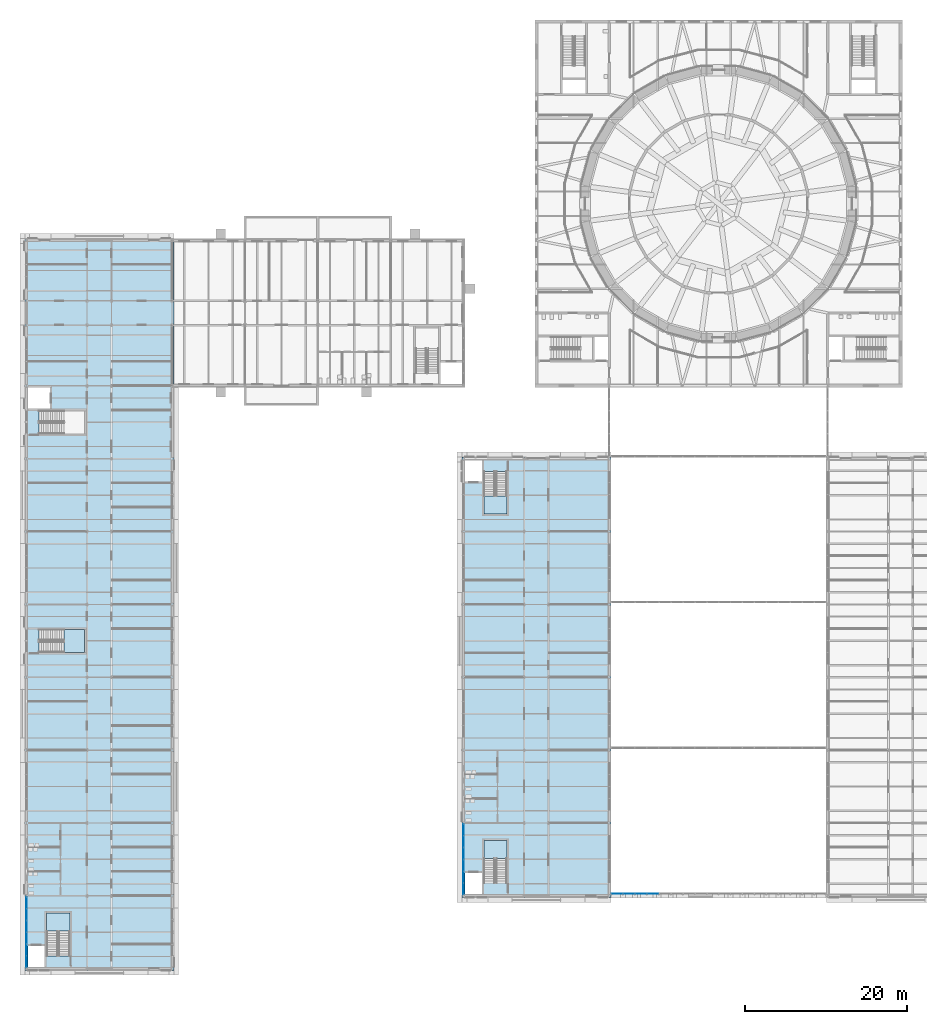
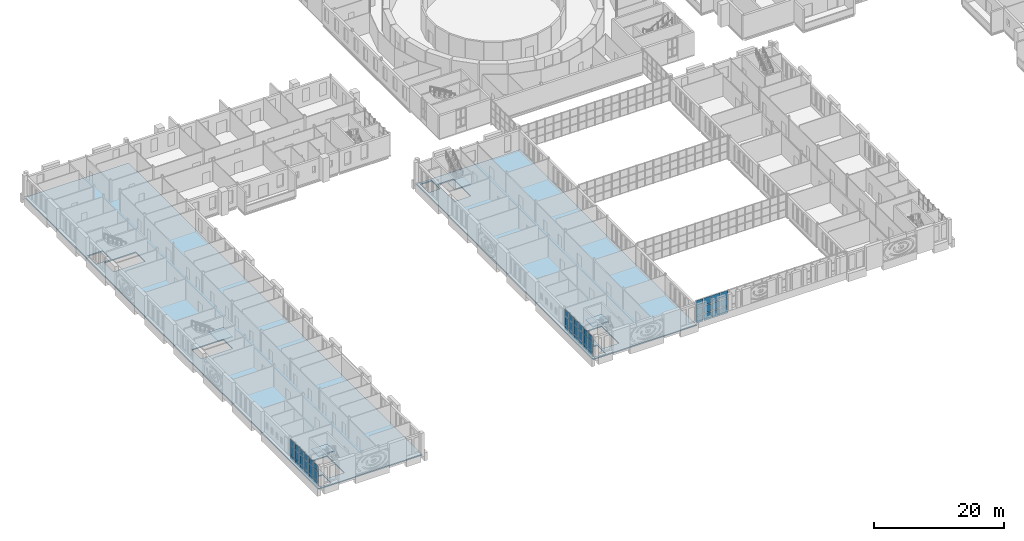
# One storey, part 60 of 131: 48 plates, 6 slabs, 7 elements without a shape of their own.
"""IFC4 building model written with IfcOpenShell, lengths in metres."""

from ifc_helpers import new_model, si_unit, direction, frame, origin, origin_2d, place, context, subcontext, project, spatial, polyline, rectangle, outline, extrude, material, layer, layer_set, type_object, element, aggregate, save


model = new_model("IFC4")

# Units and contexts
model_context = context("Model", 3, precision=1e-05, world=origin(), true_north=direction((0.0, 1.0)))
body_context = subcontext(model_context, "Body", "Model", "MODEL_VIEW")
ifc_project = project(units=[si_unit("LENGTHUNIT", "METRE"), si_unit("AREAUNIT", "SQUARE_METRE"), si_unit("VOLUMEUNIT", "CUBIC_METRE"), si_unit("PLANEANGLEUNIT", "RADIAN"), si_unit("MASSUNIT", "GRAM", prefix="KILO")], contexts=[model_context])

# Site, building, storey
site_placement = place(None, origin())
site = spatial("IfcSite", under=ifc_project, at=site_placement, CompositionType="ELEMENT")
building_placement = place(site_placement, origin())
building = spatial("IfcBuilding", under=site, at=building_placement, Name="Golden Quay Civic Hall", CompositionType="ELEMENT")
storey_placement = place(building_placement, frame((0.0, 0.0, 9.89990234375)))
storey = spatial("IfcBuildingStorey", under=building, at=storey_placement, Name="L02", CompositionType="ELEMENT", Elevation=9.89990234375)

# Slabs
ifc_material_1 = material(Name="Concrete C35/45", Category="concrete")
ifc_layer_1 = layer(ifc_material_1, 0.199951171875)
ifc_layer_set_1 = layer_set([ifc_layer_1], Name="Composite floor 200")
slab_type_1 = type_object("IfcSlabType", Name="Composite floor 200", PredefinedType="FLOOR", material=ifc_layer_set_1)
slab_1_placement = place(storey_placement, frame((0.0, 0.0, -0.199951171875)))
element("IfcSlab", 1, at=slab_1_placement, inside=storey, type_object=slab_type_1, Name="WO floor L02", PredefinedType="FLOOR", context=body_context, shape_type="SweptSolid", body=[
    extrude(outline(polyline([(-0.199951171875, -9.199951171875), (-0.199951171875, 81.199951171875), (18.199951171875, 81.199951171875), (18.199951171875, -9.199951171875), (-0.199951171875, -9.199951171875)]), holes=[polyline([(5.35009765625, -2.14990234375), (2.5, -2.14990234375), (2.5, -7.445068359375), (5.35009765625, -7.445068359375), (5.35009765625, -2.14990234375)]), polyline([(2.25, -8.800048828125), (2.25, -6.199951171875), (0.199951171875, -6.199951171875), (0.199951171875, -8.800048828125), (2.25, -8.800048828125)]), polyline([(1.554931640625, 57.074951171875), (7.175048828125, 57.074951171875), (7.175048828125, 59.925048828125), (1.554931640625, 59.925048828125), (1.554931640625, 57.074951171875)]), polyline([(0.199951171875, 62.77490234375), (0.199951171875, 60.175048828125), (2.89990234375, 60.175048828125), (2.89990234375, 62.77490234375), (0.199951171875, 62.77490234375)]), polyline([(7.175048828125, 32.925048828125), (1.554931640625, 32.925048828125), (1.554931640625, 30.074951171875), (7.175048828125, 30.074951171875), (7.175048828125, 32.925048828125)])]), origin(), (0.0, 0.0, 1.0), 0.199951171875),
])
slab_2_placement = place(storey_placement, frame((0.0, 0.0, -0.199951171875)))
element("IfcSlab", 2, at=slab_2_placement, inside=storey, type_object=slab_type_1, Name="WM floor L02", PredefinedType="FLOOR", context=body_context, shape_type="SweptSolid", body=[
    extrude(outline(polyline([(72.199951171875, -0.199951171875), (53.800048828125, -0.199951171875), (53.800048828125, 54.199951171875), (72.199951171875, 54.199951171875), (72.199951171875, -0.199951171875)]), holes=[polyline([(59.35009765625, 1.554931640625), (59.35009765625, 6.85009765625), (56.5, 6.85009765625), (56.5, 1.554931640625), (59.35009765625, 1.554931640625)]), polyline([(54.199951171875, 0.199951171875), (56.25, 0.199951171875), (56.25, 2.800048828125), (54.199951171875, 2.800048828125), (54.199951171875, 0.199951171875)]), polyline([(56.5, 52.445068359375), (56.5, 47.14990234375), (59.35009765625, 47.14990234375), (59.35009765625, 52.445068359375), (56.5, 52.445068359375)]), polyline([(56.25, 53.800048828125), (54.199951171875, 53.800048828125), (54.199951171875, 51.199951171875), (56.25, 51.199951171875), (56.25, 53.800048828125)])]), origin(), (0.0, 0.0, 1.0), 0.199951171875),
])

# Stair, slab
ifc_material_2 = material(Name="Concrete C35/45", Category="concrete")
stair_type = type_object("IfcStairType", Name="Concrete stair 1350 wide 24 risers of 187.5", PredefinedType="HALF_TURN_STAIR", material=ifc_material_2)
stair_1_placement = place(storey_placement, origin())
stair_1 = element("IfcStair", 3, at=stair_1_placement, inside=storey, type_object=stair_type, Name="L02 Stair WO-S", PredefinedType="HALF_TURN_STAIR")
ifc_material_3 = material(Name="Concrete C35/45", Category="concrete")
ifc_layer_2 = layer(ifc_material_3, 0.199951171875)
ifc_layer_set_2 = layer_set([ifc_layer_2], Name="Concrete stair landing 200, Concrete C35/45")
slab_type_2 = type_object("IfcSlabType", Name="Concrete stair landing 200", PredefinedType="LANDING", material=ifc_layer_set_2)
slab_3_placement = place(storey_placement, frame((0.0, 0.0, 2.050048828125)))
slab_3 = element("IfcSlab", 4, at=slab_3_placement, type_object=slab_type_2, Name="WO-S landing 1", PredefinedType="LANDING", context=body_context, shape_type="SweptSolid", body=[
    extrude(outline(polyline([(5.35009765625, -4.3701171875), (5.35009765625, -2.14990234375), (2.5, -2.14990234375), (2.5, -4.3701171875), (5.35009765625, -4.3701171875)])), origin(), (0.0, 0.0, 1.0), 0.199951171875),
])
aggregate(stair_1, [slab_3])

stair_2_placement = place(storey_placement, origin())
stair_2 = element("IfcStair", 5, at=stair_2_placement, inside=storey, type_object=stair_type, Name="L02 Stair WO-M", PredefinedType="HALF_TURN_STAIR")
slab_4_placement = place(storey_placement, frame((0.0, 0.0, 2.050048828125)))
slab_4 = element("IfcSlab", 6, at=slab_4_placement, type_object=slab_type_2, Name="WO-M landing 1", PredefinedType="LANDING", context=body_context, shape_type="SweptSolid", body=[
    extrude(outline(polyline([(4.6298828125, 30.074951171875), (7.175048828125, 30.074951171875), (7.175048828125, 32.925048828125), (4.6298828125, 32.925048828125), (4.6298828125, 30.074951171875)])), origin(), (0.0, 0.0, 1.0), 0.199951171875),
])
aggregate(stair_2, [slab_4])

stair_3_placement = place(storey_placement, origin())
stair_3 = element("IfcStair", 7, at=stair_3_placement, inside=storey, type_object=stair_type, Name="L02 Stair WM-S", PredefinedType="HALF_TURN_STAIR")
slab_5_placement = place(storey_placement, frame((0.0, 0.0, 2.050048828125)))
slab_5 = element("IfcSlab", 8, at=slab_5_placement, type_object=slab_type_2, Name="WM-S landing 1", PredefinedType="LANDING", context=body_context, shape_type="SweptSolid", body=[
    extrude(outline(polyline([(59.35009765625, 4.6298828125), (59.35009765625, 6.85009765625), (56.5, 6.85009765625), (56.5, 4.6298828125), (59.35009765625, 4.6298828125)])), origin(), (0.0, 0.0, 1.0), 0.199951171875),
])
aggregate(stair_3, [slab_5])

stair_4_placement = place(storey_placement, origin())
stair_4 = element("IfcStair", 9, at=stair_4_placement, inside=storey, type_object=stair_type, Name="L02 Stair WM-N", PredefinedType="HALF_TURN_STAIR")
slab_6_placement = place(storey_placement, frame((0.0, 0.0, 2.050048828125)))
slab_6 = element("IfcSlab", 10, at=slab_6_placement, type_object=slab_type_2, Name="WM-N landing 1", PredefinedType="LANDING", context=body_context, shape_type="SweptSolid", body=[
    extrude(outline(polyline([(56.5, 49.3701171875), (56.5, 47.14990234375), (59.35009765625, 47.14990234375), (59.35009765625, 49.3701171875), (56.5, 49.3701171875)])), origin(), (0.0, 0.0, 1.0), 0.199951171875),
])
aggregate(stair_4, [slab_6])

# Curtain wall, plates
ifc_material_4 = material(Name="Glass, laminated double glazed", Category="glass")
ifc_layer_3 = layer(ifc_material_4, 0.199951171875)
ifc_layer_set_3 = layer_set([ifc_layer_3], Name="Glazed core strip curtain wall")
curtain_wall_type_1 = type_object("IfcCurtainWallType", Name="Glazed core strip curtain wall", PredefinedType="NOTDEFINED", material=ifc_layer_set_3)
curtain_wall_1_placement = place(storey_placement, origin())
curtain_wall_1 = element("IfcCurtainWall", 11, at=curtain_wall_1_placement, inside=storey, type_object=curtain_wall_type_1, Name="Glazed core strip curtain wall L02 1", PredefinedType="NOTDEFINED")
ifc_material_5 = material(Name="Glass, laminated double glazed", Category="glass")
ifc_layer_4 = layer(ifc_material_5, 0.028076171875)
ifc_layer_set_4 = layer_set([ifc_layer_4], Name="Double glazed curtain wall panel 28")
plate_type_1 = type_object("IfcPlateType", Name="Double glazed curtain wall panel 28", PredefinedType="CURTAIN_PANEL", material=ifc_layer_set_4)
plate_1_placement = place(storey_placement, frame((0.0, -8.1142578125, 0.06005859375), z_axis=(0.0, 0.0, 1.0), x_axis=(0.0, 1.0, 0.0)))
plate_1 = element("IfcPlate", 12, at=plate_1_placement, type_object=plate_type_1, Name="CW2 panel 1.1", PredefinedType="CURTAIN_PANEL", context=body_context, shape_type="SweptSolid", body=[
    extrude(rectangle(XDim=1.361572265625, YDim=0.028076171875, at=origin_2d()), origin(), (0.0, 0.0, 1.0), 0.81005859375),
])
plate_2_placement = place(storey_placement, frame((0.0, -8.1142578125, 0.93017578125), z_axis=(0.0, 0.0, 1.0), x_axis=(0.0, 1.0, 0.0)))
plate_2 = element("IfcPlate", 13, at=plate_2_placement, type_object=plate_type_1, Name="CW2 panel 1.2", PredefinedType="CURTAIN_PANEL", context=body_context, shape_type="SweptSolid", body=[
    extrude(rectangle(XDim=1.361572265625, YDim=0.028076171875, at=origin_2d()), origin(), (0.0, 0.0, 1.0), 1.739990234375),
])
plate_3_placement = place(storey_placement, frame((0.0, -8.1142578125, 2.72998046875), z_axis=(0.0, 0.0, 1.0), x_axis=(0.0, 1.0, 0.0)))
plate_3 = element("IfcPlate", 14, at=plate_3_placement, type_object=plate_type_1, Name="CW2 panel 1.3", PredefinedType="CURTAIN_PANEL", context=body_context, shape_type="SweptSolid", body=[
    extrude(rectangle(XDim=1.361572265625, YDim=0.028076171875, at=origin_2d()), origin(), (0.0, 0.0, 1.0), 1.110107421875),
])
plate_4_placement = place(storey_placement, frame((0.0, -6.677490234375, 0.06005859375), z_axis=(0.0, 0.0, 1.0), x_axis=(0.0, 1.0, 0.0)))
plate_4 = element("IfcPlate", 15, at=plate_4_placement, type_object=plate_type_1, Name="CW2 panel 2.1", PredefinedType="CURTAIN_PANEL", context=body_context, shape_type="SweptSolid", body=[
    extrude(rectangle(XDim=1.3916015625, YDim=0.028076171875, at=origin_2d()), origin(), (0.0, 0.0, 1.0), 0.81005859375),
])
plate_5_placement = place(storey_placement, frame((0.0, -6.677490234375, 0.93017578125), z_axis=(0.0, 0.0, 1.0), x_axis=(0.0, 1.0, 0.0)))
plate_5 = element("IfcPlate", 16, at=plate_5_placement, type_object=plate_type_1, Name="CW2 panel 2.2", PredefinedType="CURTAIN_PANEL", context=body_context, shape_type="SweptSolid", body=[
    extrude(rectangle(XDim=1.3916015625, YDim=0.028076171875, at=origin_2d()), origin(), (0.0, 0.0, 1.0), 1.739990234375),
])
plate_6_placement = place(storey_placement, frame((0.0, -6.677490234375, 2.72998046875), z_axis=(0.0, 0.0, 1.0), x_axis=(0.0, 1.0, 0.0)))
plate_6 = element("IfcPlate", 17, at=plate_6_placement, type_object=plate_type_1, Name="CW2 panel 2.3", PredefinedType="CURTAIN_PANEL", context=body_context, shape_type="SweptSolid", body=[
    extrude(rectangle(XDim=1.3916015625, YDim=0.028076171875, at=origin_2d()), origin(), (0.0, 0.0, 1.0), 1.110107421875),
])
plate_7_placement = place(storey_placement, frame((0.0, -5.225830078125, 0.06005859375), z_axis=(0.0, 0.0, 1.0), x_axis=(0.0, 1.0, 0.0)))
plate_7 = element("IfcPlate", 18, at=plate_7_placement, type_object=plate_type_1, Name="CW2 panel 3.1", PredefinedType="CURTAIN_PANEL", context=body_context, shape_type="SweptSolid", body=[
    extrude(rectangle(XDim=1.3916015625, YDim=0.028076171875, at=origin_2d()), origin(), (0.0, 0.0, 1.0), 0.81005859375),
])
plate_8_placement = place(storey_placement, frame((0.0, -5.225830078125, 0.93017578125), z_axis=(0.0, 0.0, 1.0), x_axis=(0.0, 1.0, 0.0)))
plate_8 = element("IfcPlate", 19, at=plate_8_placement, type_object=plate_type_1, Name="CW2 panel 3.2", PredefinedType="CURTAIN_PANEL", context=body_context, shape_type="SweptSolid", body=[
    extrude(rectangle(XDim=1.3916015625, YDim=0.028076171875, at=origin_2d()), origin(), (0.0, 0.0, 1.0), 1.739990234375),
])
plate_9_placement = place(storey_placement, frame((0.0, -5.225830078125, 2.72998046875), z_axis=(0.0, 0.0, 1.0), x_axis=(0.0, 1.0, 0.0)))
plate_9 = element("IfcPlate", 20, at=plate_9_placement, type_object=plate_type_1, Name="CW2 panel 3.3", PredefinedType="CURTAIN_PANEL", context=body_context, shape_type="SweptSolid", body=[
    extrude(rectangle(XDim=1.3916015625, YDim=0.028076171875, at=origin_2d()), origin(), (0.0, 0.0, 1.0), 1.110107421875),
])
plate_10_placement = place(storey_placement, frame((0.0, -3.774169921875, 0.06005859375), z_axis=(0.0, 0.0, 1.0), x_axis=(0.0, 1.0, 0.0)))
plate_10 = element("IfcPlate", 21, at=plate_10_placement, type_object=plate_type_1, Name="CW2 panel 4.1", PredefinedType="CURTAIN_PANEL", context=body_context, shape_type="SweptSolid", body=[
    extrude(rectangle(XDim=1.3916015625, YDim=0.028076171875, at=origin_2d()), origin(), (0.0, 0.0, 1.0), 0.81005859375),
])
plate_11_placement = place(storey_placement, frame((0.0, -3.774169921875, 0.93017578125), z_axis=(0.0, 0.0, 1.0), x_axis=(0.0, 1.0, 0.0)))
plate_11 = element("IfcPlate", 22, at=plate_11_placement, type_object=plate_type_1, Name="CW2 panel 4.2", PredefinedType="CURTAIN_PANEL", context=body_context, shape_type="SweptSolid", body=[
    extrude(rectangle(XDim=1.3916015625, YDim=0.028076171875, at=origin_2d()), origin(), (0.0, 0.0, 1.0), 1.739990234375),
])
plate_12_placement = place(storey_placement, frame((0.0, -3.774169921875, 2.72998046875), z_axis=(0.0, 0.0, 1.0), x_axis=(0.0, 1.0, 0.0)))
plate_12 = element("IfcPlate", 23, at=plate_12_placement, type_object=plate_type_1, Name="CW2 panel 4.3", PredefinedType="CURTAIN_PANEL", context=body_context, shape_type="SweptSolid", body=[
    extrude(rectangle(XDim=1.3916015625, YDim=0.028076171875, at=origin_2d()), origin(), (0.0, 0.0, 1.0), 1.110107421875),
])
plate_13_placement = place(storey_placement, frame((0.0, -2.322509765625, 0.06005859375), z_axis=(0.0, 0.0, 1.0), x_axis=(0.0, 1.0, 0.0)))
plate_13 = element("IfcPlate", 24, at=plate_13_placement, type_object=plate_type_1, Name="CW2 panel 5.1", PredefinedType="CURTAIN_PANEL", context=body_context, shape_type="SweptSolid", body=[
    extrude(rectangle(XDim=1.3916015625, YDim=0.028076171875, at=origin_2d()), origin(), (0.0, 0.0, 1.0), 0.81005859375),
])
plate_14_placement = place(storey_placement, frame((0.0, -2.322509765625, 0.93017578125), z_axis=(0.0, 0.0, 1.0), x_axis=(0.0, 1.0, 0.0)))
plate_14 = element("IfcPlate", 25, at=plate_14_placement, type_object=plate_type_1, Name="CW2 panel 5.2", PredefinedType="CURTAIN_PANEL", context=body_context, shape_type="SweptSolid", body=[
    extrude(rectangle(XDim=1.3916015625, YDim=0.028076171875, at=origin_2d()), origin(), (0.0, 0.0, 1.0), 1.739990234375),
])
plate_15_placement = place(storey_placement, frame((0.0, -2.322509765625, 2.72998046875), z_axis=(0.0, 0.0, 1.0), x_axis=(0.0, 1.0, 0.0)))
plate_15 = element("IfcPlate", 26, at=plate_15_placement, type_object=plate_type_1, Name="CW2 panel 5.3", PredefinedType="CURTAIN_PANEL", context=body_context, shape_type="SweptSolid", body=[
    extrude(rectangle(XDim=1.3916015625, YDim=0.028076171875, at=origin_2d()), origin(), (0.0, 0.0, 1.0), 1.110107421875),
])
plate_16_placement = place(storey_placement, frame((0.0, -0.8857421875, 0.06005859375), z_axis=(0.0, 0.0, 1.0), x_axis=(0.0, 1.0, 0.0)))
plate_16 = element("IfcPlate", 27, at=plate_16_placement, type_object=plate_type_1, Name="CW2 panel 6.1", PredefinedType="CURTAIN_PANEL", context=body_context, shape_type="SweptSolid", body=[
    extrude(rectangle(XDim=1.361572265625, YDim=0.028076171875, at=origin_2d()), origin(), (0.0, 0.0, 1.0), 0.81005859375),
])
plate_17_placement = place(storey_placement, frame((0.0, -0.8857421875, 0.93017578125), z_axis=(0.0, 0.0, 1.0), x_axis=(0.0, 1.0, 0.0)))
plate_17 = element("IfcPlate", 28, at=plate_17_placement, type_object=plate_type_1, Name="CW2 panel 6.2", PredefinedType="CURTAIN_PANEL", context=body_context, shape_type="SweptSolid", body=[
    extrude(rectangle(XDim=1.361572265625, YDim=0.028076171875, at=origin_2d()), origin(), (0.0, 0.0, 1.0), 1.739990234375),
])
plate_18_placement = place(storey_placement, frame((0.0, -0.8857421875, 2.72998046875), z_axis=(0.0, 0.0, 1.0), x_axis=(0.0, 1.0, 0.0)))
plate_18 = element("IfcPlate", 29, at=plate_18_placement, type_object=plate_type_1, Name="CW2 panel 6.3", PredefinedType="CURTAIN_PANEL", context=body_context, shape_type="SweptSolid", body=[
    extrude(rectangle(XDim=1.361572265625, YDim=0.028076171875, at=origin_2d()), origin(), (0.0, 0.0, 1.0), 1.110107421875),
])
aggregate(curtain_wall_1, [plate_1, plate_2, plate_3, plate_4, plate_5, plate_6, plate_7, plate_8, plate_9, plate_10, plate_11, plate_12, plate_13, plate_14, plate_15, plate_16, plate_17, plate_18])

curtain_wall_2_placement = place(storey_placement, origin())
curtain_wall_2 = element("IfcCurtainWall", 30, at=curtain_wall_2_placement, inside=storey, type_object=curtain_wall_type_1, Name="Glazed core strip curtain wall L02 3", PredefinedType="NOTDEFINED")
plate_19_placement = place(storey_placement, frame((54.0, 0.86083984375, 0.06005859375), z_axis=(0.0, 0.0, 1.0), x_axis=(0.0, 1.0, 0.0)))
plate_19 = element("IfcPlate", 31, at=plate_19_placement, type_object=plate_type_1, Name="CW2 panel 1.1", PredefinedType="CURTAIN_PANEL", context=body_context, shape_type="SweptSolid", body=[
    extrude(rectangle(XDim=1.37158203125, YDim=0.028076171875, at=origin_2d()), origin(), (0.0, 0.0, 1.0), 0.81005859375),
])
plate_20_placement = place(storey_placement, frame((54.0, 0.86083984375, 0.93017578125), z_axis=(0.0, 0.0, 1.0), x_axis=(0.0, 1.0, 0.0)))
plate_20 = element("IfcPlate", 32, at=plate_20_placement, type_object=plate_type_1, Name="CW2 panel 1.2", PredefinedType="CURTAIN_PANEL", context=body_context, shape_type="SweptSolid", body=[
    extrude(rectangle(XDim=1.37158203125, YDim=0.028076171875, at=origin_2d()), origin(), (0.0, 0.0, 1.0), 1.739990234375),
])
plate_21_placement = place(storey_placement, frame((54.0, 0.86083984375, 2.72998046875), z_axis=(0.0, 0.0, 1.0), x_axis=(0.0, 1.0, 0.0)))
plate_21 = element("IfcPlate", 33, at=plate_21_placement, type_object=plate_type_1, Name="CW2 panel 1.3", PredefinedType="CURTAIN_PANEL", context=body_context, shape_type="SweptSolid", body=[
    extrude(rectangle(XDim=1.37158203125, YDim=0.028076171875, at=origin_2d()), origin(), (0.0, 0.0, 1.0), 1.110107421875),
])
plate_22_placement = place(storey_placement, frame((54.0, 2.3076171875, 0.06005859375), z_axis=(0.0, 0.0, 1.0), x_axis=(0.0, 1.0, 0.0)))
plate_22 = element("IfcPlate", 34, at=plate_22_placement, type_object=plate_type_1, Name="CW2 panel 2.1", PredefinedType="CURTAIN_PANEL", context=body_context, shape_type="SweptSolid", body=[
    extrude(rectangle(XDim=1.401611328125, YDim=0.028076171875, at=origin_2d()), origin(), (0.0, 0.0, 1.0), 0.81005859375),
])
plate_23_placement = place(storey_placement, frame((54.0, 2.3076171875, 0.93017578125), z_axis=(0.0, 0.0, 1.0), x_axis=(0.0, 1.0, 0.0)))
plate_23 = element("IfcPlate", 35, at=plate_23_placement, type_object=plate_type_1, Name="CW2 panel 2.2", PredefinedType="CURTAIN_PANEL", context=body_context, shape_type="SweptSolid", body=[
    extrude(rectangle(XDim=1.401611328125, YDim=0.028076171875, at=origin_2d()), origin(), (0.0, 0.0, 1.0), 1.739990234375),
])
plate_24_placement = place(storey_placement, frame((54.0, 2.3076171875, 2.72998046875), z_axis=(0.0, 0.0, 1.0), x_axis=(0.0, 1.0, 0.0)))
plate_24 = element("IfcPlate", 36, at=plate_24_placement, type_object=plate_type_1, Name="CW2 panel 2.3", PredefinedType="CURTAIN_PANEL", context=body_context, shape_type="SweptSolid", body=[
    extrude(rectangle(XDim=1.401611328125, YDim=0.028076171875, at=origin_2d()), origin(), (0.0, 0.0, 1.0), 1.110107421875),
])
plate_25_placement = place(storey_placement, frame((54.0, 3.769287109375, 0.06005859375), z_axis=(0.0, 0.0, 1.0), x_axis=(0.0, 1.0, 0.0)))
plate_25 = element("IfcPlate", 37, at=plate_25_placement, type_object=plate_type_1, Name="CW2 panel 3.1", PredefinedType="CURTAIN_PANEL", context=body_context, shape_type="SweptSolid", body=[
    extrude(rectangle(XDim=1.401611328125, YDim=0.028076171875, at=origin_2d()), origin(), (0.0, 0.0, 1.0), 0.81005859375),
])
plate_26_placement = place(storey_placement, frame((54.0, 3.769287109375, 0.93017578125), z_axis=(0.0, 0.0, 1.0), x_axis=(0.0, 1.0, 0.0)))
plate_26 = element("IfcPlate", 38, at=plate_26_placement, type_object=plate_type_1, Name="CW2 panel 3.2", PredefinedType="CURTAIN_PANEL", context=body_context, shape_type="SweptSolid", body=[
    extrude(rectangle(XDim=1.401611328125, YDim=0.028076171875, at=origin_2d()), origin(), (0.0, 0.0, 1.0), 1.739990234375),
])
plate_27_placement = place(storey_placement, frame((54.0, 3.769287109375, 2.72998046875), z_axis=(0.0, 0.0, 1.0), x_axis=(0.0, 1.0, 0.0)))
plate_27 = element("IfcPlate", 39, at=plate_27_placement, type_object=plate_type_1, Name="CW2 panel 3.3", PredefinedType="CURTAIN_PANEL", context=body_context, shape_type="SweptSolid", body=[
    extrude(rectangle(XDim=1.401611328125, YDim=0.028076171875, at=origin_2d()), origin(), (0.0, 0.0, 1.0), 1.110107421875),
])
plate_28_placement = place(storey_placement, frame((54.0, 5.230712890625, 0.06005859375), z_axis=(0.0, 0.0, 1.0), x_axis=(0.0, 1.0, 0.0)))
plate_28 = element("IfcPlate", 40, at=plate_28_placement, type_object=plate_type_1, Name="CW2 panel 4.1", PredefinedType="CURTAIN_PANEL", context=body_context, shape_type="SweptSolid", body=[
    extrude(rectangle(XDim=1.401611328125, YDim=0.028076171875, at=origin_2d()), origin(), (0.0, 0.0, 1.0), 0.81005859375),
])
plate_29_placement = place(storey_placement, frame((54.0, 5.230712890625, 0.93017578125), z_axis=(0.0, 0.0, 1.0), x_axis=(0.0, 1.0, 0.0)))
plate_29 = element("IfcPlate", 41, at=plate_29_placement, type_object=plate_type_1, Name="CW2 panel 4.2", PredefinedType="CURTAIN_PANEL", context=body_context, shape_type="SweptSolid", body=[
    extrude(rectangle(XDim=1.401611328125, YDim=0.028076171875, at=origin_2d()), origin(), (0.0, 0.0, 1.0), 1.739990234375),
])
plate_30_placement = place(storey_placement, frame((54.0, 5.230712890625, 2.72998046875), z_axis=(0.0, 0.0, 1.0), x_axis=(0.0, 1.0, 0.0)))
plate_30 = element("IfcPlate", 42, at=plate_30_placement, type_object=plate_type_1, Name="CW2 panel 4.3", PredefinedType="CURTAIN_PANEL", context=body_context, shape_type="SweptSolid", body=[
    extrude(rectangle(XDim=1.401611328125, YDim=0.028076171875, at=origin_2d()), origin(), (0.0, 0.0, 1.0), 1.110107421875),
])
plate_31_placement = place(storey_placement, frame((54.0, 6.6923828125, 0.06005859375), z_axis=(0.0, 0.0, 1.0), x_axis=(0.0, 1.0, 0.0)))
plate_31 = element("IfcPlate", 43, at=plate_31_placement, type_object=plate_type_1, Name="CW2 panel 5.1", PredefinedType="CURTAIN_PANEL", context=body_context, shape_type="SweptSolid", body=[
    extrude(rectangle(XDim=1.401611328125, YDim=0.028076171875, at=origin_2d()), origin(), (0.0, 0.0, 1.0), 0.81005859375),
])
plate_32_placement = place(storey_placement, frame((54.0, 6.6923828125, 0.93017578125), z_axis=(0.0, 0.0, 1.0), x_axis=(0.0, 1.0, 0.0)))
plate_32 = element("IfcPlate", 44, at=plate_32_placement, type_object=plate_type_1, Name="CW2 panel 5.2", PredefinedType="CURTAIN_PANEL", context=body_context, shape_type="SweptSolid", body=[
    extrude(rectangle(XDim=1.401611328125, YDim=0.028076171875, at=origin_2d()), origin(), (0.0, 0.0, 1.0), 1.739990234375),
])
plate_33_placement = place(storey_placement, frame((54.0, 6.6923828125, 2.72998046875), z_axis=(0.0, 0.0, 1.0), x_axis=(0.0, 1.0, 0.0)))
plate_33 = element("IfcPlate", 45, at=plate_33_placement, type_object=plate_type_1, Name="CW2 panel 5.3", PredefinedType="CURTAIN_PANEL", context=body_context, shape_type="SweptSolid", body=[
    extrude(rectangle(XDim=1.401611328125, YDim=0.028076171875, at=origin_2d()), origin(), (0.0, 0.0, 1.0), 1.110107421875),
])
plate_34_placement = place(storey_placement, frame((54.0, 8.13916015625, 0.06005859375), z_axis=(0.0, 0.0, 1.0), x_axis=(0.0, 1.0, 0.0)))
plate_34 = element("IfcPlate", 46, at=plate_34_placement, type_object=plate_type_1, Name="CW2 panel 6.1", PredefinedType="CURTAIN_PANEL", context=body_context, shape_type="SweptSolid", body=[
    extrude(rectangle(XDim=1.37158203125, YDim=0.028076171875, at=origin_2d()), origin(), (0.0, 0.0, 1.0), 0.81005859375),
])
plate_35_placement = place(storey_placement, frame((54.0, 8.13916015625, 0.93017578125), z_axis=(0.0, 0.0, 1.0), x_axis=(0.0, 1.0, 0.0)))
plate_35 = element("IfcPlate", 47, at=plate_35_placement, type_object=plate_type_1, Name="CW2 panel 6.2", PredefinedType="CURTAIN_PANEL", context=body_context, shape_type="SweptSolid", body=[
    extrude(rectangle(XDim=1.37158203125, YDim=0.028076171875, at=origin_2d()), origin(), (0.0, 0.0, 1.0), 1.739990234375),
])
plate_36_placement = place(storey_placement, frame((54.0, 8.13916015625, 2.72998046875), z_axis=(0.0, 0.0, 1.0), x_axis=(0.0, 1.0, 0.0)))
plate_36 = element("IfcPlate", 48, at=plate_36_placement, type_object=plate_type_1, Name="CW2 panel 6.3", PredefinedType="CURTAIN_PANEL", context=body_context, shape_type="SweptSolid", body=[
    extrude(rectangle(XDim=1.37158203125, YDim=0.028076171875, at=origin_2d()), origin(), (0.0, 0.0, 1.0), 1.110107421875),
])
aggregate(curtain_wall_2, [plate_19, plate_20, plate_21, plate_22, plate_23, plate_24, plate_25, plate_26, plate_27, plate_28, plate_29, plate_30, plate_31, plate_32, plate_33, plate_34, plate_35, plate_36])

ifc_material_6 = material(Name="Glass and aluminium", Category="aluminium")
curtain_wall_type_2 = type_object("IfcCurtainWallType", Name="Glazed curtain wall 1500 module", PredefinedType="NOTDEFINED", material=ifc_material_6)
curtain_wall_3_placement = place(storey_placement, origin())
curtain_wall_3 = element("IfcCurtainWall", 49, at=curtain_wall_3_placement, inside=storey, type_object=curtain_wall_type_2, Name="CW1 curtain wall", PredefinedType="NOTDEFINED")
ifc_material_7 = material(Name="Laminated glass", Category="glass")
ifc_layer_5 = layer(ifc_material_7, 0.028076171875)
ifc_layer_set_5 = layer_set([ifc_layer_5], Name="Laminated glass panel 28")
plate_type_2 = type_object("IfcPlateType", Name="Laminated glass panel 28", PredefinedType="CURTAIN_PANEL", material=ifc_layer_set_5)
plate_37_placement = place(storey_placement, frame((72.968994140625, 0.27001953125, -0.080078125), z_axis=(0.0, 0.0, 1.0), x_axis=(1.0, 0.0, 0.0)))
plate_37 = element("IfcPlate", 50, at=plate_37_placement, type_object=plate_type_2, Name="CW1 panel 1.1", PredefinedType="CURTAIN_PANEL", context=body_context, shape_type="SweptSolid", body=[
    extrude(rectangle(XDim=1.2978515625, YDim=0.028076171875, at=origin_2d()), origin(), (0.0, 0.0, 1.0), 1.320068359375),
])
plate_38_placement = place(storey_placement, frame((72.968994140625, 0.27001953125, 1.360107421875), z_axis=(0.0, 0.0, 1.0), x_axis=(1.0, 0.0, 0.0)))
plate_38 = element("IfcPlate", 51, at=plate_38_placement, type_object=plate_type_2, Name="CW1 panel 1.2", PredefinedType="CURTAIN_PANEL", context=body_context, shape_type="SweptSolid", body=[
    extrude(rectangle(XDim=1.2978515625, YDim=0.028076171875, at=origin_2d()), origin(), (0.0, 0.0, 1.0), 1.3798828125),
])
plate_39_placement = place(storey_placement, frame((72.968994140625, 0.27001953125, 2.85986328125), z_axis=(0.0, 0.0, 1.0), x_axis=(1.0, 0.0, 0.0)))
plate_39 = element("IfcPlate", 52, at=plate_39_placement, type_object=plate_type_2, Name="CW1 panel 1.3", PredefinedType="CURTAIN_PANEL", context=body_context, shape_type="SweptSolid", body=[
    extrude(rectangle(XDim=1.2978515625, YDim=0.028076171875, at=origin_2d()), origin(), (0.0, 0.0, 1.0), 1.320068359375),
])
plate_40_placement = place(storey_placement, frame((74.416748046875, 0.27001953125, -0.080078125), z_axis=(0.0, 0.0, 1.0), x_axis=(1.0, 0.0, 0.0)))
plate_40 = element("IfcPlate", 53, at=plate_40_placement, type_object=plate_type_2, Name="CW1 panel 2.1", PredefinedType="CURTAIN_PANEL", context=body_context, shape_type="SweptSolid", body=[
    extrude(rectangle(XDim=1.357666015625, YDim=0.028076171875, at=origin_2d()), origin(), (0.0, 0.0, 1.0), 1.320068359375),
])
plate_41_placement = place(storey_placement, frame((74.416748046875, 0.27001953125, 1.360107421875), z_axis=(0.0, 0.0, 1.0), x_axis=(1.0, 0.0, 0.0)))
plate_41 = element("IfcPlate", 54, at=plate_41_placement, type_object=plate_type_2, Name="CW1 panel 2.2", PredefinedType="CURTAIN_PANEL", context=body_context, shape_type="SweptSolid", body=[
    extrude(rectangle(XDim=1.357666015625, YDim=0.028076171875, at=origin_2d()), origin(), (0.0, 0.0, 1.0), 1.3798828125),
])
plate_42_placement = place(storey_placement, frame((74.416748046875, 0.27001953125, 2.85986328125), z_axis=(0.0, 0.0, 1.0), x_axis=(1.0, 0.0, 0.0)))
plate_42 = element("IfcPlate", 55, at=plate_42_placement, type_object=plate_type_2, Name="CW1 panel 2.3", PredefinedType="CURTAIN_PANEL", context=body_context, shape_type="SweptSolid", body=[
    extrude(rectangle(XDim=1.357666015625, YDim=0.028076171875, at=origin_2d()), origin(), (0.0, 0.0, 1.0), 1.320068359375),
])
plate_43_placement = place(storey_placement, frame((75.89453125, 0.27001953125, -0.080078125), z_axis=(0.0, 0.0, 1.0), x_axis=(1.0, 0.0, 0.0)))
plate_43 = element("IfcPlate", 56, at=plate_43_placement, type_object=plate_type_2, Name="CW1 panel 3.1", PredefinedType="CURTAIN_PANEL", context=body_context, shape_type="SweptSolid", body=[
    extrude(rectangle(XDim=1.357666015625, YDim=0.028076171875, at=origin_2d()), origin(), (0.0, 0.0, 1.0), 1.320068359375),
])
plate_44_placement = place(storey_placement, frame((75.89453125, 0.27001953125, 1.360107421875), z_axis=(0.0, 0.0, 1.0), x_axis=(1.0, 0.0, 0.0)))
plate_44 = element("IfcPlate", 57, at=plate_44_placement, type_object=plate_type_2, Name="CW1 panel 3.2", PredefinedType="CURTAIN_PANEL", context=body_context, shape_type="SweptSolid", body=[
    extrude(rectangle(XDim=1.357666015625, YDim=0.028076171875, at=origin_2d()), origin(), (0.0, 0.0, 1.0), 1.3798828125),
])
plate_45_placement = place(storey_placement, frame((75.89453125, 0.27001953125, 2.85986328125), z_axis=(0.0, 0.0, 1.0), x_axis=(1.0, 0.0, 0.0)))
plate_45 = element("IfcPlate", 58, at=plate_45_placement, type_object=plate_type_2, Name="CW1 panel 3.3", PredefinedType="CURTAIN_PANEL", context=body_context, shape_type="SweptSolid", body=[
    extrude(rectangle(XDim=1.357666015625, YDim=0.028076171875, at=origin_2d()), origin(), (0.0, 0.0, 1.0), 1.320068359375),
])
plate_46_placement = place(storey_placement, frame((77.372314453125, 0.27001953125, -0.080078125), z_axis=(0.0, 0.0, 1.0), x_axis=(1.0, 0.0, 0.0)))
plate_46 = element("IfcPlate", 59, at=plate_46_placement, type_object=plate_type_2, Name="CW1 panel 4.1", PredefinedType="CURTAIN_PANEL", context=body_context, shape_type="SweptSolid", body=[
    extrude(rectangle(XDim=1.357666015625, YDim=0.028076171875, at=origin_2d()), origin(), (0.0, 0.0, 1.0), 1.320068359375),
])
plate_47_placement = place(storey_placement, frame((77.372314453125, 0.27001953125, 1.360107421875), z_axis=(0.0, 0.0, 1.0), x_axis=(1.0, 0.0, 0.0)))
plate_47 = element("IfcPlate", 60, at=plate_47_placement, type_object=plate_type_2, Name="CW1 panel 4.2", PredefinedType="CURTAIN_PANEL", context=body_context, shape_type="SweptSolid", body=[
    extrude(rectangle(XDim=1.357666015625, YDim=0.028076171875, at=origin_2d()), origin(), (0.0, 0.0, 1.0), 1.3798828125),
])
plate_48_placement = place(storey_placement, frame((77.372314453125, 0.27001953125, 2.85986328125), z_axis=(0.0, 0.0, 1.0), x_axis=(1.0, 0.0, 0.0)))
plate_48 = element("IfcPlate", 61, at=plate_48_placement, type_object=plate_type_2, Name="CW1 panel 4.3", PredefinedType="CURTAIN_PANEL", context=body_context, shape_type="SweptSolid", body=[
    extrude(rectangle(XDim=1.357666015625, YDim=0.028076171875, at=origin_2d()), origin(), (0.0, 0.0, 1.0), 1.320068359375),
])
aggregate(curtain_wall_3, [plate_37, plate_38, plate_39, plate_40, plate_41, plate_42, plate_43, plate_44, plate_45, plate_46, plate_47, plate_48])

save(model, "model.ifc")
